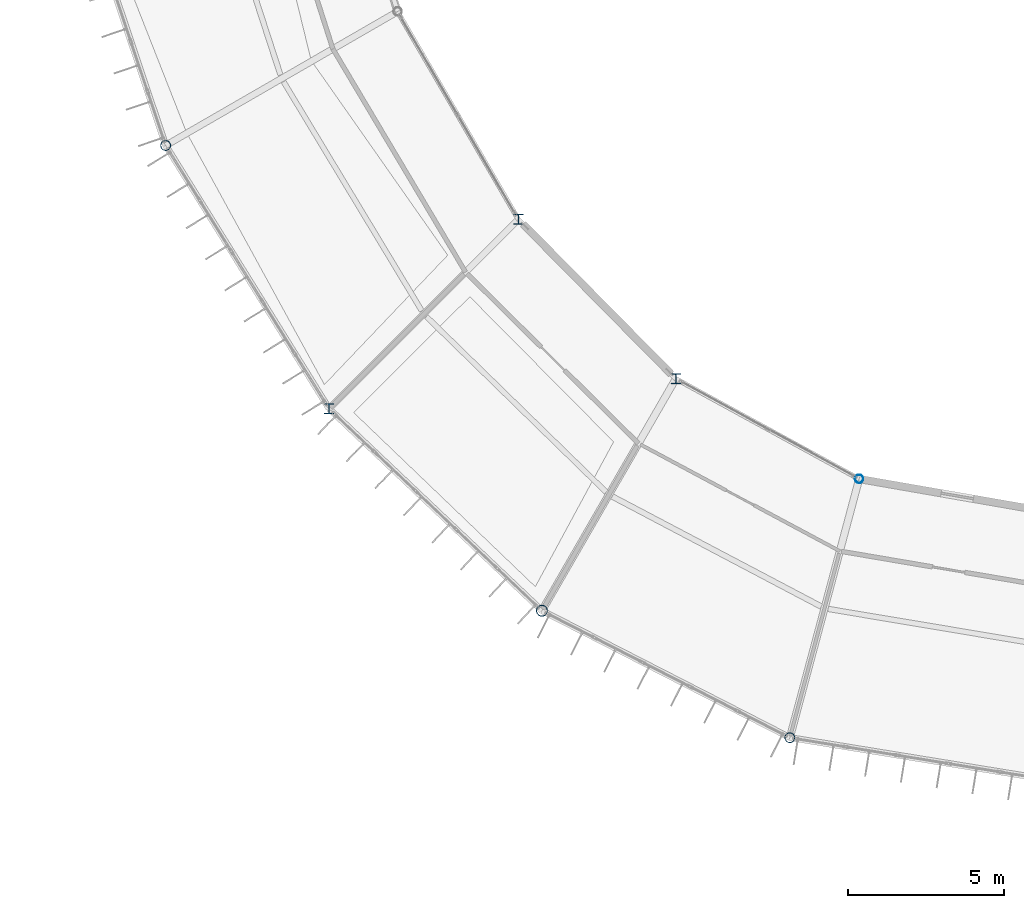
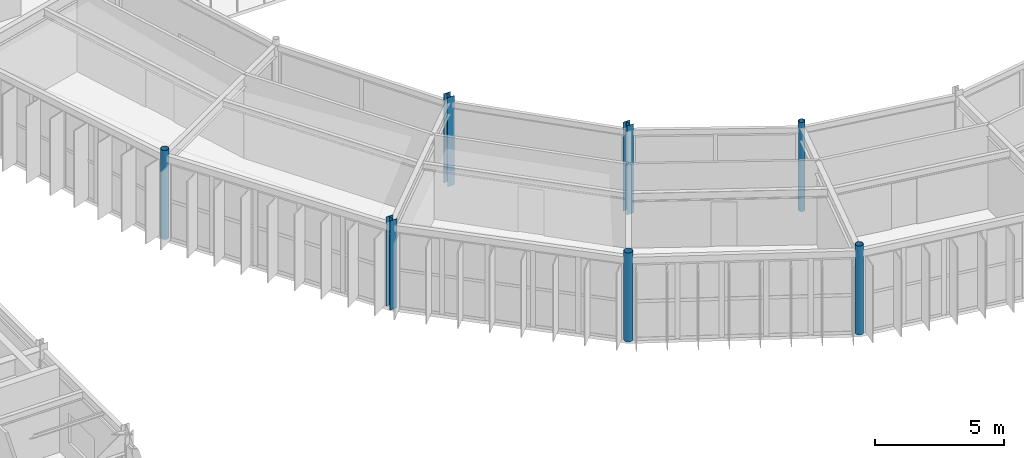
# One storey, part 3 of 148: 7 columns.
"""IFC4 building model written with IfcOpenShell, lengths in metres."""

import ifcopenshell
import ifcopenshell.guid

model = None  # the IFC model being written
_history = None  # IfcOwnerHistory: only IFC2X3 demands one
_inside = {}  # id of a spatial element -> (the spatial element, [elements in it])
_under = {}  # id of a project, library or spatial element -> (it, [spatial elements below it])
_declared = {}  # id of a project -> (the project, [libraries it declares])
_typed = {}  # id of a type object -> (the type object, [elements of that type])
_made_of = {}  # id of a material, layer set ... -> (it, [elements and type objects made of it])


def new_model(schema):
    """Start an empty IFC model of exactly this schema.

    Asked for "IFC4X3", IfcOpenShell would pick the latest addendum, in which some entities
    have other attributes; the version numbers below select the first issue.
    IFC2X3 requires an IfcOwnerHistory on every rooted entity: one is made here for all.
    """
    global model, _history
    if schema == "IFC4X3":
        model = ifcopenshell.file(schema_version=(4, 3, 0, 0))
    else:
        model = ifcopenshell.file(schema=schema)
    _inside.clear()
    _under.clear()
    _declared.clear()
    _typed.clear()
    _made_of.clear()
    _history = None
    if model.schema == "IFC2X3":
        org = make("IfcOrganization", Name="unknown")
        user = make(
            "IfcPersonAndOrganization",
            ThePerson=make("IfcPerson", FamilyName="unknown"),
            TheOrganization=org,
        )
        app = make(
            "IfcApplication",
            ApplicationDeveloper=org,
            Version="unknown",
            ApplicationFullName="unknown",
            ApplicationIdentifier="unknown",
        )
        _history = make(
            "IfcOwnerHistory",
            OwningUser=user,
            OwningApplication=app,
            ChangeAction="ADDED",
            CreationDate=0,
        )
    return model


def make(cls, **values):
    """One entity of the class cls with the attributes given. An attribute that is None is left unset."""
    return model.create_entity(
        cls, **{name: value for name, value in values.items() if value is not None}
    )


def rooted(cls, **values):
    """An entity with a GlobalId (a new one), such as an element, a storey or a relation."""
    return make(cls, GlobalId=ifcopenshell.guid.new(), OwnerHistory=_history, **values)


def si_unit(unit_type, name, prefix=None):
    """IfcSIUnit, for example si_unit("LENGTHUNIT", "METRE", prefix="MILLI")."""
    return make("IfcSIUnit", UnitType=unit_type, Prefix=prefix, Name=name)


def assignment(units):
    """IfcUnitAssignment: the units of a project."""
    return None if units is None else make("IfcUnitAssignment", Units=units)


def point(xyz):
    """IfcCartesianPoint."""
    return None if xyz is None else make("IfcCartesianPoint", Coordinates=xyz)


def direction(xyz):
    """IfcDirection."""
    return None if xyz is None else make("IfcDirection", DirectionRatios=xyz)


def frame(location, z_axis=None, x_axis=None):
    """IfcAxis2Placement3D, a coordinate frame: its origin and axes. An axis left out is left unset."""
    return make(
        "IfcAxis2Placement3D",
        Location=point(location),
        Axis=direction(z_axis),
        RefDirection=direction(x_axis),
    )


def frame_2d(location, x_axis=None):
    """IfcAxis2Placement2D, a coordinate frame in the plane: its origin and x axis."""
    return make(
        "IfcAxis2Placement2D", Location=point(location), RefDirection=direction(x_axis)
    )


def origin():
    """The frame at (0, 0, 0) with its axes left unset."""
    return frame((0.0, 0.0, 0.0))


def origin_2d():
    """The frame at (0, 0) in the plane with its x axis left unset."""
    return frame_2d((0.0, 0.0))


def place(relative_to, where):
    """IfcLocalPlacement: puts the frame where relative to a parent placement (None: the world)."""
    return make(
        "IfcLocalPlacement", PlacementRelTo=relative_to, RelativePlacement=where
    )


def context(
    kind, dimensions, precision=None, world=None, true_north=None, identifier=None
):
    """IfcGeometricRepresentationContext, for example the 3D "Model" context."""
    return make(
        "IfcGeometricRepresentationContext",
        ContextIdentifier=identifier,
        ContextType=kind,
        CoordinateSpaceDimension=dimensions,
        Precision=precision,
        WorldCoordinateSystem=world,
        TrueNorth=true_north,
    )


def subcontext(parent, identifier, kind, view, scale=None):
    """IfcGeometricRepresentationSubContext, for example "Body" below "Model"."""
    return make(
        "IfcGeometricRepresentationSubContext",
        ContextIdentifier=identifier,
        ContextType=kind,
        ParentContext=parent,
        TargetScale=scale,
        TargetView=view,
    )


def project(units=None, contexts=None):
    """IfcProject with its units and contexts."""
    return rooted(
        "IfcProject",
        Name="project",
        RepresentationContexts=contexts,
        UnitsInContext=assignment(units),
    )


def spatial(cls, under=None, at=None, **own):
    """A site, building, storey or space (cls), placed at a placement, below another one or the project."""
    s = rooted(cls, ObjectPlacement=at, **own)
    if under is not None:
        _under.setdefault(under.id(), (under, []))[1].append(s)
    return s


def profile(cls, at=None, kind="AREA", **sizes):
    """A parametric profile (cls). Its sizes go by their IFC names, for example OverallWidth=200.0."""
    return make(cls, ProfileType=kind, Position=at, **sizes)


def hollow_circle(**sizes):
    """IfcCircleHollowProfileDef."""
    return profile("IfcCircleHollowProfileDef", **sizes)


def i_section(**sizes):
    """IfcIShapeProfileDef."""
    return profile("IfcIShapeProfileDef", **sizes)


def extrude(swept, where, along, depth):
    """IfcExtrudedAreaSolid: the profile swept, set in the frame where, extruded along a direction by depth."""
    return make(
        "IfcExtrudedAreaSolid",
        SweptArea=swept,
        Position=where,
        ExtrudedDirection=direction(along),
        Depth=depth,
    )


def shape(context_of_items, identifier, shape_type, items):
    """IfcShapeRepresentation: the items that make up one representation, for example the "Body"."""
    return make(
        "IfcShapeRepresentation",
        ContextOfItems=context_of_items,
        RepresentationIdentifier=identifier,
        RepresentationType=shape_type,
        Items=items,
    )


def material(Name=None, Category=None):
    """IfcMaterial."""
    return make("IfcMaterial", Name=Name, Category=Category)


def material_profile(
    of_material, cross_section, Name=None, Category=None, Priority=None
):
    """IfcMaterialProfile: a cross section and its material."""
    return make(
        "IfcMaterialProfile",
        Name=Name,
        Material=of_material,
        Profile=cross_section,
        Priority=Priority,
        Category=Category,
    )


def profile_set(profiles, Name=None, composite=None):
    """IfcMaterialProfileSet."""
    return make(
        "IfcMaterialProfileSet",
        Name=Name,
        MaterialProfiles=profiles,
        CompositeProfile=composite,
    )


def made_of(thing, what):
    """Note that an element or type object is made of a material, layer set ...; save() writes the relation."""
    if what is not None:
        _made_of.setdefault(what.id(), (what, []))[1].append(thing)
    return thing


def type_object(cls, material=None, **own):
    """A type object (cls), such as IfcWallType, which elements share."""
    return made_of(rooted(cls, **own), material)


def element(
    cls,
    number,
    at=None,
    inside=None,
    cuts=None,
    type_object=None,
    material=None,
    context=None,
    identifier="Body",
    shape_type=None,
    held_by="IfcProductDefinitionShape",
    body=None,
    shapes=None,
    **own,
):
    """One element of the class cls, such as IfcWall. Its Tag is "e" and its number.

    at: its placement. inside: the storey or other place that contains it. cuts: it is an
    opening in that element (IfcRelVoidsElement). A single representation is given by context,
    identifier, shape_type and body (its items); several are given by shapes. held_by: the class
    of the entity that holds the representations. save() writes the other relations.
    """
    e = rooted(cls, Tag="e%d" % number, ObjectPlacement=at, **own)
    if body is not None:
        shapes = [shape(context, identifier, shape_type, body)]
    if shapes is not None:
        e.Representation = make(held_by, Representations=shapes)
    if inside is not None:
        _inside.setdefault(inside.id(), (inside, []))[1].append(e)
    if cuts is not None:
        rooted(
            "IfcRelVoidsElement", RelatingBuildingElement=cuts, RelatedOpeningElement=e
        )
    if type_object is not None:
        _typed.setdefault(type_object.id(), (type_object, []))[1].append(e)
    return made_of(e, material)


def aggregate(whole, parts):
    """IfcRelAggregates: a whole, such as a stair, and the parts it consists of."""
    return rooted("IfcRelAggregates", RelatingObject=whole, RelatedObjects=parts)


def save(model, path):
    """Write the relations noted so far, then the file.

    IfcRelAggregates (storeys below a building ...), IfcRelContainedInSpatialStructure (elements
    in a storey), IfcRelDefinesByType, IfcRelAssociatesMaterial and IfcRelDeclares: one each for
    every whole, place, type object, material and project.
    """
    for whole, parts in _under.values():
        aggregate(whole, parts)
    for where, things in _inside.values():
        rooted(
            "IfcRelContainedInSpatialStructure",
            RelatedElements=things,
            RelatingStructure=where,
        )
    for kind, things in _typed.values():
        rooted("IfcRelDefinesByType", RelatedObjects=things, RelatingType=kind)
    for what, things in _made_of.values():
        rooted("IfcRelAssociatesMaterial", RelatedObjects=things, RelatingMaterial=what)
    for by, libraries in _declared.values():
        rooted("IfcRelDeclares", RelatingContext=by, RelatedDefinitions=libraries)
    model.write(path)


model = new_model("IFC4")

# Units and contexts
model_context = context("Model", 3, precision=1e-05, world=origin(), true_north=direction((0.0, 1.0)))
body_context = subcontext(model_context, "Body", "Model", "MODEL_VIEW")
ifc_project = project(units=[si_unit("LENGTHUNIT", "METRE"), si_unit("AREAUNIT", "SQUARE_METRE"), si_unit("VOLUMEUNIT", "CUBIC_METRE"), si_unit("PLANEANGLEUNIT", "RADIAN"), si_unit("MASSUNIT", "GRAM", prefix="KILO")], contexts=[model_context])

# Site, building, storey
site_placement = place(None, origin())
site = spatial("IfcSite", under=ifc_project, at=site_placement, CompositionType="ELEMENT")
building_placement = place(site_placement, origin())
building = spatial("IfcBuilding", under=site, at=building_placement, Name="Karori Crest Natural Sciences Institute", CompositionType="ELEMENT")
storey_placement = place(building_placement, frame((0.0, 0.0, 4.89990234375)))
storey = spatial("IfcBuildingStorey", under=building, at=storey_placement, Name="L01", CompositionType="ELEMENT", Elevation=4.89990234375)

# Columns
ifc_material_1 = material(Name="Structural steel AS/NZS 3679.1 Grade 350", Category="steel")
ifc_material_profile_1 = material_profile(ifc_material_1, i_section(OverallWidth=0.31103515625, OverallDepth=0.326904296875, WebThickness=0.015625, FlangeThickness=0.02490234375, FilletRadius=0.01708984375, at=origin_2d()), Name="310UC158")
ifc_profile_set_1 = profile_set([ifc_material_profile_1], Name="Structural steel AS/NZS 3679.1 Grade 350")
column_type_1 = type_object("IfcColumnType", Name="CT-04", PredefinedType="COLUMN", material=ifc_profile_set_1)
column_1_placement = place(storey_placement, frame((43.0654296875, 21.050048828125, 0.0), z_axis=(0.0, 0.0, 1.0), x_axis=(1.0, 0.0, 0.0)))
element("IfcColumn", 1, at=column_1_placement, inside=storey, type_object=column_type_1, Name="Column C-0255", PredefinedType="COLUMN", context=body_context, shape_type="SweptSolid", body=[
    extrude(i_section(OverallWidth=0.31103515625, OverallDepth=0.326904296875, WebThickness=0.015625, FlangeThickness=0.02490234375, FilletRadius=0.01708984375, at=origin_2d()), origin(), (0.0, 0.0, 1.0), 4.2001953125),
])
ifc_material_profile_2 = material_profile(ifc_material_1, i_section(OverallWidth=0.306884765625, OverallDepth=0.31494140625, WebThickness=0.011962890625, FlangeThickness=0.018798828125, FilletRadius=0.01708984375, at=origin_2d()), Name="310UC118")
ifc_profile_set_2 = profile_set([ifc_material_profile_2], Name="Structural steel AS/NZS 3679.1 Grade 350")
column_type_2 = type_object("IfcColumnType", Name="CT-05", PredefinedType="COLUMN", material=ifc_profile_set_2)
column_2_placement = place(storey_placement, frame((49.146484375, 27.131103515625, 0.0), z_axis=(0.0, 0.0, 1.0), x_axis=(1.0, 0.0, 0.0)))
element("IfcColumn", 2, at=column_2_placement, inside=storey, type_object=column_type_2, Name="Column C-0256", PredefinedType="COLUMN", context=body_context, shape_type="SweptSolid", body=[
    extrude(i_section(OverallWidth=0.306884765625, OverallDepth=0.31494140625, WebThickness=0.011962890625, FlangeThickness=0.018798828125, FilletRadius=0.01708984375, at=origin_2d()), origin(), (0.0, 0.0, 1.0), 4.2001953125),
])
ifc_material_2 = material(Name="Hollow structural steel AS/NZS 1163 Grade C350", Category="steel")
ifc_material_profile_3 = material_profile(ifc_material_2, hollow_circle(Radius=0.177734375, WallThickness=0.0126953125, at=origin_2d()), Name="CHS355.6x12.7")
ifc_profile_set_3 = profile_set([ifc_material_profile_3], Name="Hollow structural steel AS/NZS 1163 Grade C350")
column_type_3 = type_object("IfcColumnType", Name="CT-14", PredefinedType="COLUMN", material=ifc_profile_set_3)
column_3_placement = place(storey_placement, frame((49.89990234375, 14.566162109375, 0.0), z_axis=(0.0, 0.0, 1.0), x_axis=(1.0, 0.0, 0.0)))
element("IfcColumn", 3, at=column_3_placement, inside=storey, type_object=column_type_3, Name="Column C-0269", PredefinedType="COLUMN", context=body_context, shape_type="SweptSolid", body=[
    extrude(hollow_circle(Radius=0.177734375, WallThickness=0.0126953125, at=origin_2d()), origin(), (0.0, 0.0, 1.0), 4.2001953125),
])
ifc_material_profile_4 = material_profile(ifc_material_2, hollow_circle(Radius=0.161865234375, WallThickness=0.0126953125, at=origin_2d()), Name="CHS323.9x12.7")
ifc_profile_set_4 = profile_set([ifc_material_profile_4], Name="Hollow structural steel AS/NZS 1163 Grade C350")
column_type_4 = type_object("IfcColumnType", Name="CT-15", PredefinedType="COLUMN", material=ifc_profile_set_4)
for number, where, z_axis, x_axis, name in (
    (4, (37.8212890625, 29.5, 0.0), (0.0, 0.0, 1.0), (1.0, 0.0, 0.0), "Column C-0241"),
    (5, (57.85888671875, 10.490234375, 0.0), (0.0, 0.0, 1.0), (1.0, 0.0, 0.0), "Column C-0285"),
):
    element("IfcColumn", number, at=place(storey_placement, frame(where, z_axis=z_axis, x_axis=x_axis)), inside=storey, type_object=column_type_4, Name=name, PredefinedType="COLUMN", context=body_context, shape_type="SweptSolid", body=[
        extrude(hollow_circle(Radius=0.161865234375, WallThickness=0.0126953125, at=origin_2d()), origin(), (0.0, 0.0, 1.0), 4.2001953125),
    ])
ifc_material_profile_5 = material_profile(ifc_material_2, hollow_circle(Radius=0.136474609375, WallThickness=0.00927734375, at=origin_2d()), Name="CHS273.0x9.3")
ifc_profile_set_5 = profile_set([ifc_material_profile_5], Name="Hollow structural steel AS/NZS 1163 Grade C350")
column_type_5 = type_object("IfcColumnType", Name="CT-16", PredefinedType="COLUMN", material=ifc_profile_set_5)
column_4_placement = place(storey_placement, frame((60.084716796875, 18.797119140625, 0.0), z_axis=(0.0, 0.0, 1.0), x_axis=(1.0, 0.0, 0.0)))
element("IfcColumn", 6, at=column_4_placement, inside=storey, type_object=column_type_5, Name="Column C-0286", PredefinedType="COLUMN", context=body_context, shape_type="SweptSolid", body=[
    extrude(hollow_circle(Radius=0.136474609375, WallThickness=0.00927734375, at=origin_2d()), origin(), (0.0, 0.0, 1.0), 4.2001953125),
])
ifc_material_profile_6 = material_profile(ifc_material_1, i_section(OverallWidth=0.304931640625, OverallDepth=0.30810546875, WebThickness=0.010009765625, FlangeThickness=0.015380859375, FilletRadius=0.01708984375, at=origin_2d()), Name="310UC96.8")
ifc_profile_set_6 = profile_set([ifc_material_profile_6], Name="Structural steel AS/NZS 3679.1 Grade 350")
column_type_6 = type_object("IfcColumnType", Name="CT-25", PredefinedType="COLUMN", material=ifc_profile_set_6)
column_5_placement = place(storey_placement, frame((54.199951171875, 22.013916015625, 0.0), z_axis=(0.0, 0.0, 1.0), x_axis=(1.0, 0.0, 0.0)))
element("IfcColumn", 7, at=column_5_placement, inside=storey, type_object=column_type_6, Name="Column C-0270", PredefinedType="COLUMN", context=body_context, shape_type="SweptSolid", body=[
    extrude(i_section(OverallWidth=0.304931640625, OverallDepth=0.30810546875, WebThickness=0.010009765625, FlangeThickness=0.015380859375, FilletRadius=0.01708984375, at=origin_2d()), origin(), (0.0, 0.0, 1.0), 4.2001953125),
])

save(model, "model.ifc")
